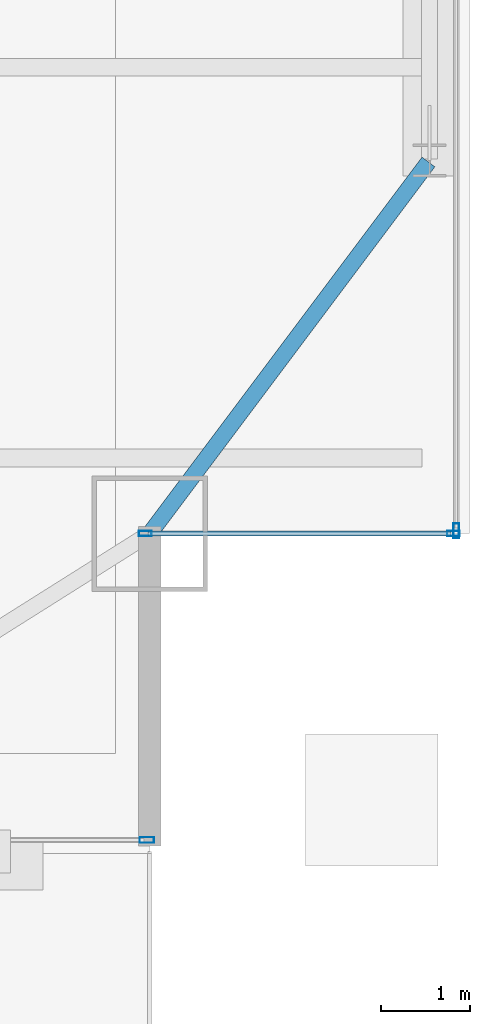
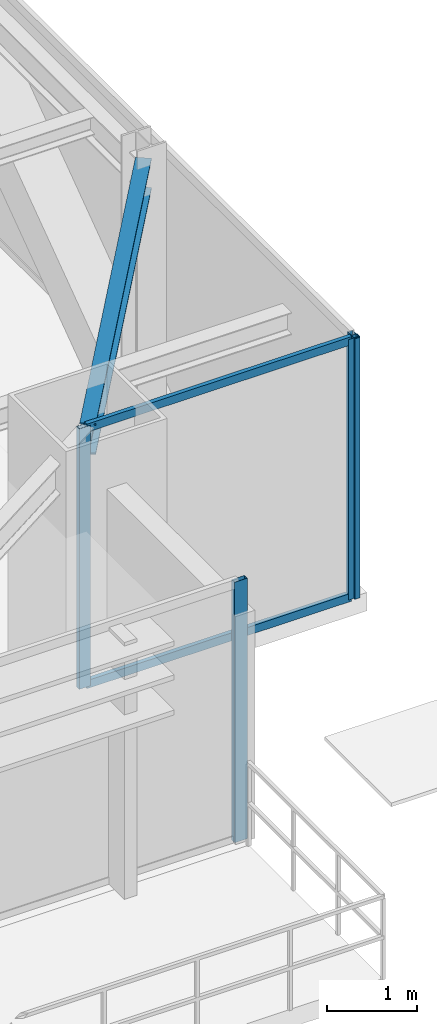
# One storey, part 15 of 33: 6 members, 1 beam, 3 elements without a shape of their own.
"""IFC4 building model written with IfcOpenShell, lengths in metres."""

from ifc_helpers import new_model, si_unit, direction, frame, origin, origin_2d, place, context, subcontext, project, spatial, hollow_rectangle, i_section, extrude, source, transform, mapped, material, layer, layer_set, material_profile, profile_set, type_object, type_shapes, element, aggregate, save


model = new_model("IFC4")

# Units and contexts
model_context = context("Model", 3, precision=1e-05, world=origin(), true_north=direction((0.0, 1.0)))
body_context = subcontext(model_context, "Body", "Model", "MODEL_VIEW")
ifc_project = project(units=[si_unit("LENGTHUNIT", "METRE"), si_unit("AREAUNIT", "SQUARE_METRE"), si_unit("VOLUMEUNIT", "CUBIC_METRE"), si_unit("PLANEANGLEUNIT", "RADIAN"), si_unit("MASSUNIT", "GRAM", prefix="KILO")], contexts=[model_context])

# Site, building, storey
site_placement = place(None, origin())
site = spatial("IfcSite", under=ifc_project, at=site_placement, CompositionType="ELEMENT")
building_placement = place(site_placement, origin())
building = spatial("IfcBuilding", under=site, at=building_placement, Name="Varnel Quay Broadcast Tower", CompositionType="ELEMENT")
storey_placement = place(building_placement, frame((0.0, 0.0, 145.800048828125)))
storey = spatial("IfcBuildingStorey", under=building, at=storey_placement, Name="L35", CompositionType="ELEMENT", Elevation=145.800048828125)

# Beam
ifc_material_1 = material(Name="Structural Steel CSA G40.21 350W", Category="steel")
ifc_material_profile_1 = material_profile(ifc_material_1, i_section(OverallWidth=0.180908203125, OverallDepth=0.4169921875, WebThickness=0.010986328125, FlangeThickness=0.018310546875, FilletRadius=0.011962890625, at=origin_2d()), Name="W410X85")
ifc_profile_set_1 = profile_set([ifc_material_profile_1], Name="Structural Steel CSA G40.21 350W")
beam_type = type_object("IfcBeamType", Name="Beam_W410X85", PredefinedType="SPANDREL", material=ifc_profile_set_1)
shared_shape_1 = source(origin(), body_context, "Body", "SweptSolid", [
    extrude(i_section(OverallWidth=0.180908203125, OverallDepth=0.4169921875, WebThickness=0.010986328125, FlangeThickness=0.018310546875, FilletRadius=0.011962890625, at=origin_2d()), origin(), (0.0, 0.0, 1.0), 5.2099609375),
])
type_shapes(beam_type, [shared_shape_1])
beam_placement = place(storey_placement, frame((57.412109375, 10.81591796875, 3.341552734375), z_axis=(0.6, 0.8, 0.0), x_axis=(-0.8, 0.6, 0.0)))
element("IfcBeam", 1, at=beam_placement, inside=storey, type_object=beam_type, Name="L35 East Spandrel MC-SE-TC-E1", PredefinedType="SPANDREL", context=body_context, shape_type="MappedRepresentation", body=[
    mapped(shared_shape_1, transform((0.0, 0.0, 0.0), x_axis=(1.0, 0.0, 0.0), y_axis=(0.0, 1.0, 0.0), z_axis=(0.0, 0.0, 1.0), scale=1.0)),
])

# Curtain wall, members
ifc_material_2 = material(Name="Anodised Bronze Aluminium 6063-T6", Category="aluminium")
ifc_layer_1 = layer(ifc_material_2, 0.18994140625, Name="Anodised Bronze Aluminium 6063-T6")
ifc_layer_set_1 = layer_set([ifc_layer_1], Name="Anodised Bronze Aluminium 6063-T6")
curtain_wall_type_1 = type_object("IfcCurtainWallType", Name="CW_NotchCorner", PredefinedType="NOTDEFINED", material=ifc_layer_set_1)
curtain_wall_1_placement = place(storey_placement, origin())
curtain_wall_1 = element("IfcCurtainWall", 2, at=curtain_wall_1_placement, inside=storey, type_object=curtain_wall_type_1, Name="L35 SE Notch Curtain Wall", PredefinedType="NOTDEFINED")
ifc_material_profile_2 = material_profile(ifc_material_2, hollow_rectangle(XDim=0.054931640625, YDim=0.110107421875, WallThickness=0.0029296875, at=origin_2d()), Name="ALU55X110X3")
ifc_profile_set_2 = profile_set([ifc_material_profile_2], Name="Anodised Bronze Aluminium 6063-T6")
member_type_1 = type_object("IfcMemberType", Name="Tran_CWS-04", PredefinedType="USERDEFINED", material=ifc_profile_set_2)
shared_shape_2 = source(origin(), body_context, "Body", "SweptSolid", [
    extrude(hollow_rectangle(XDim=0.054931640625, YDim=0.110107421875, WallThickness=0.0029296875, at=origin_2d()), origin(), (0.0, 0.0, 1.0), 3.41015625),
])
type_shapes(member_type_1, [shared_shape_2])
member_1_placement = place(storey_placement, frame((57.3798828125, 10.800048828125, 0.02734375), z_axis=(1.0, 0.0, 0.0), x_axis=(0.0, 1.0, 0.0)))
member_1 = element("IfcMember", 3, at=member_1_placement, type_object=member_type_1, Name="CWS-04 transom 1.1", ObjectType="TRANSOM", PredefinedType="USERDEFINED", context=body_context, shape_type="MappedRepresentation", body=[
    mapped(shared_shape_2, transform((0.0, 0.0, 0.0), x_axis=(1.0, 0.0, 0.0), y_axis=(0.0, 1.0, 0.0), z_axis=(0.0, 0.0, 1.0), scale=1.0)),
])
member_2_placement = place(storey_placement, frame((57.3798828125, 10.800048828125, 3.5224609375), z_axis=(1.0, 0.0, 0.0), x_axis=(0.0, 1.0, 0.0)))
member_2 = element("IfcMember", 4, at=member_2_placement, type_object=member_type_1, Name="CWS-04 transom 1.2", ObjectType="TRANSOM", PredefinedType="USERDEFINED", context=body_context, shape_type="MappedRepresentation", body=[
    mapped(shared_shape_2, transform((0.0, 0.0, 0.0), x_axis=(1.0, 0.0, 0.0), y_axis=(0.0, 1.0, 0.0), z_axis=(0.0, 0.0, 1.0), scale=1.0)),
])
ifc_material_profile_3 = material_profile(ifc_material_2, hollow_rectangle(XDim=0.06005859375, YDim=0.14501953125, WallThickness=0.00341796875, at=origin_2d()), Name="ALU60X145X3.5")
ifc_profile_set_3 = profile_set([ifc_material_profile_3], Name="Anodised Bronze Aluminium 6063-T6")
member_type_2 = type_object("IfcMemberType", Name="Mull_CWS-04", PredefinedType="MULLION", material=ifc_profile_set_3)
shared_shape_3 = source(origin(), body_context, "Body", "SweptSolid", [
    extrude(hollow_rectangle(XDim=0.06005859375, YDim=0.14501953125, WallThickness=0.00341796875, at=origin_2d()), origin(), (0.0, 0.0, 1.0), 3.550048828125),
])
type_shapes(member_type_2, [shared_shape_3])
member_3_placement = place(storey_placement, frame((57.35009765625, 10.800048828125, 0.0), z_axis=(0.0, 0.0, 1.0), x_axis=(0.0, 1.0, 0.0)))
member_3 = element("IfcMember", 5, at=member_3_placement, type_object=member_type_2, Name="CWS-04 mullion 1", PredefinedType="MULLION", context=body_context, shape_type="MappedRepresentation", body=[
    mapped(shared_shape_3, transform((0.0, 0.0, 0.0), x_axis=(1.0, 0.0, 0.0), y_axis=(0.0, 1.0, 0.0), z_axis=(0.0, 0.0, 1.0), scale=1.0)),
])
member_4_placement = place(storey_placement, frame((60.820068359375, 10.800048828125, 0.0), z_axis=(0.0, 0.0, 1.0), x_axis=(0.0, 1.0, 0.0)))
member_4 = element("IfcMember", 6, at=member_4_placement, type_object=member_type_2, Name="CWS-04 mullion 2", PredefinedType="MULLION", context=body_context, shape_type="MappedRepresentation", body=[
    mapped(shared_shape_3, transform((0.0, 0.0, 0.0), x_axis=(1.0, 0.0, 0.0), y_axis=(0.0, 1.0, 0.0), z_axis=(0.0, 0.0, 1.0), scale=1.0)),
])
aggregate(curtain_wall_1, [member_3, member_4, member_1, member_2])

# Curtain wall, member
ifc_layer_2 = layer(ifc_material_2, 0.18994140625, Name="Anodised Bronze Aluminium 6063-T6")
ifc_layer_set_2 = layer_set([ifc_layer_2], Name="Anodised Bronze Aluminium 6063-T6")
curtain_wall_type_2 = type_object("IfcCurtainWallType", Name="CW_UpperTower", PredefinedType="NOTDEFINED", material=ifc_layer_set_2)
curtain_wall_2_placement = place(storey_placement, origin())
curtain_wall_2 = element("IfcCurtainWall", 7, at=curtain_wall_2_placement, inside=storey, type_object=curtain_wall_type_2, Name="L35 South Unitised Curtain Wall 2", PredefinedType="NOTDEFINED")
ifc_material_profile_4 = material_profile(ifc_material_2, hollow_rectangle(XDim=0.06494140625, YDim=0.1650390625, WallThickness=0.00341796875, at=origin_2d()), Name="ALU65X165X3.5")
ifc_profile_set_4 = profile_set([ifc_material_profile_4], Name="Anodised Bronze Aluminium 6063-T6")
member_type_3 = type_object("IfcMemberType", Name="Mull_CWS-03", PredefinedType="MULLION", material=ifc_profile_set_4)
shared_shape_4 = source(origin(), body_context, "Body", "SweptSolid", [
    extrude(hollow_rectangle(XDim=0.06494140625, YDim=0.1650390625, WallThickness=0.00341796875, at=origin_2d()), origin(), (0.0, 0.0, 1.0), 3.550048828125),
])
type_shapes(member_type_3, [shared_shape_4])
member_5_placement = place(storey_placement, frame((57.367431640625, 7.35009765625, 0.0), z_axis=(0.0, 0.0, 1.0), x_axis=(0.0, 1.0, 0.0)))
member_5 = element("IfcMember", 8, at=member_5_placement, type_object=member_type_3, Name="CWS-03 mullion 4", PredefinedType="MULLION", context=body_context, shape_type="MappedRepresentation", body=[
    mapped(shared_shape_4, transform((0.0, 0.0, 0.0), x_axis=(1.0, 0.0, 0.0), y_axis=(0.0, 1.0, 0.0), z_axis=(0.0, 0.0, 1.0), scale=1.0)),
])
aggregate(curtain_wall_2, [member_5])

curtain_wall_3_placement = place(storey_placement, origin())
curtain_wall_3 = element("IfcCurtainWall", 9, at=curtain_wall_3_placement, inside=storey, type_object=curtain_wall_type_2, Name="L35 East Unitised Curtain Wall", PredefinedType="NOTDEFINED")
member_6_placement = place(storey_placement, frame((60.85009765625, 10.83251953125, 0.0), z_axis=(0.0, 0.0, 1.0), x_axis=(-1.0, 0.0, 0.0)))
member_6 = element("IfcMember", 10, at=member_6_placement, type_object=member_type_3, Name="CWS-03 mullion 1", PredefinedType="MULLION", context=body_context, shape_type="MappedRepresentation", body=[
    mapped(shared_shape_4, transform((0.0, 0.0, 0.0), x_axis=(1.0, 0.0, 0.0), y_axis=(0.0, 1.0, 0.0), z_axis=(0.0, 0.0, 1.0), scale=1.0)),
])
aggregate(curtain_wall_3, [member_6])

save(model, "model.ifc")
